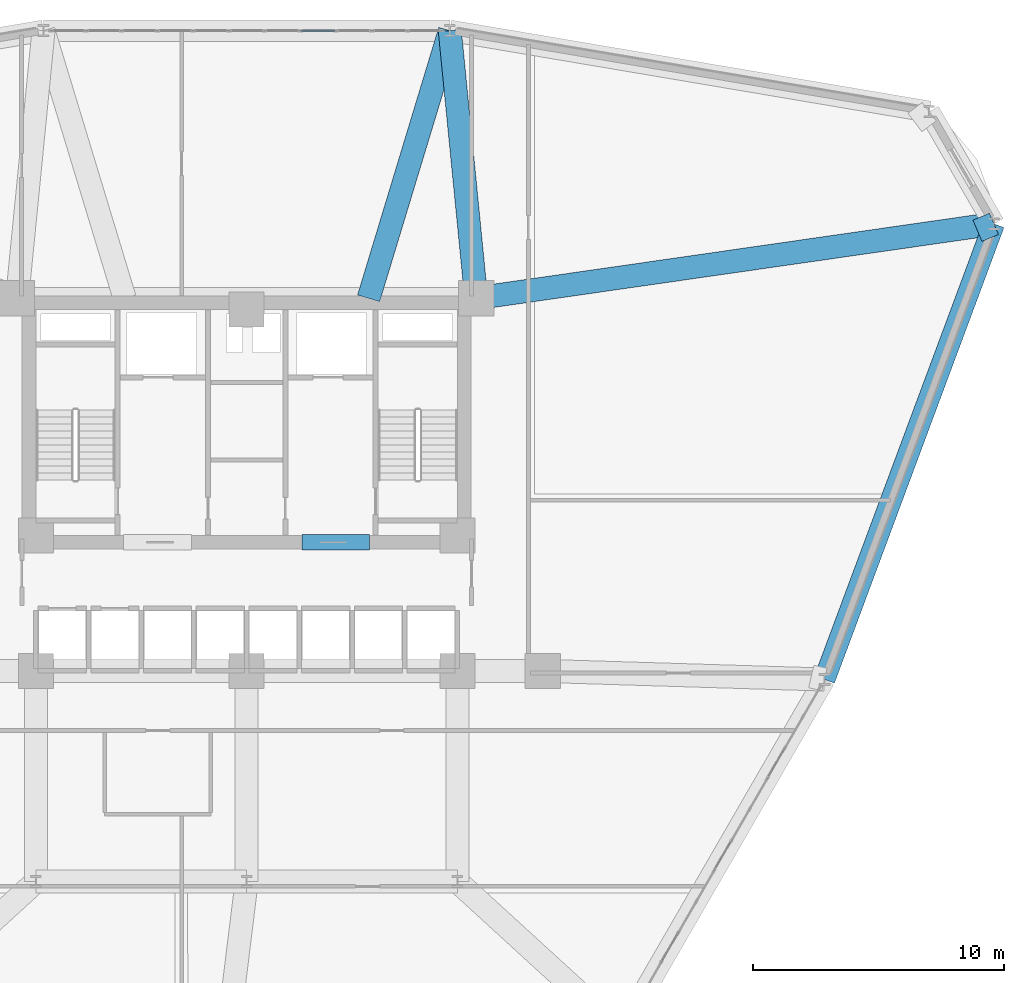
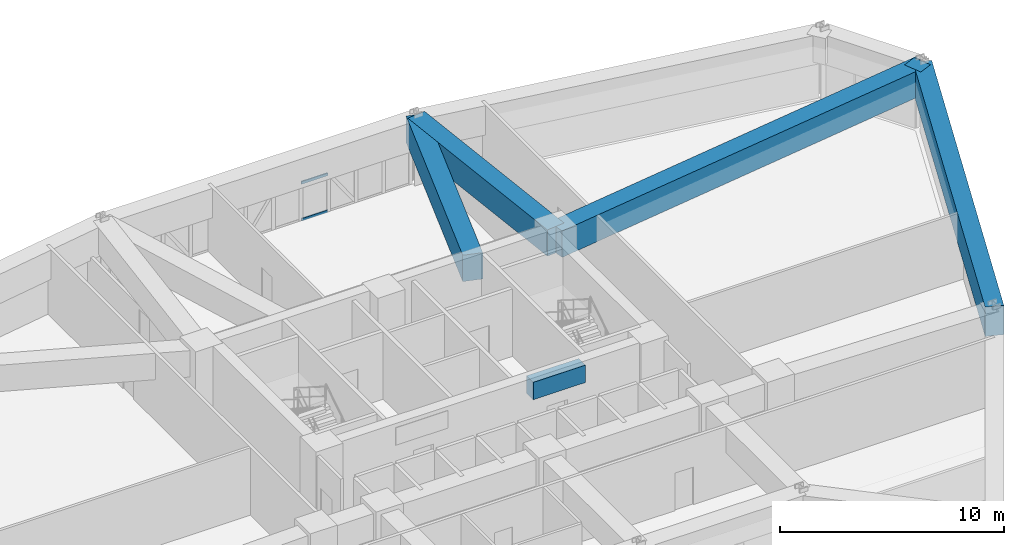
# One storey, part 12 of 20: 6 beams, 2 members, 1 element without a shape of its own.
"""IFC4 building model written with IfcOpenShell, lengths in metres."""

from ifc_helpers import new_model, si_unit, derived_unit, direction, frame, origin, origin_2d, place, context, subcontext, project, spatial, rectangle, hollow_rectangle, extrude, source, transform, mapped, material, layer, layer_set, material_profile, profile_set, type_object, element, aggregate, save


model = new_model("IFC4")

# Units and contexts
model_context = context("Model", 3, precision=1e-05, world=origin(), true_north=direction((0.0, 1.0)))
body_context = subcontext(model_context, "Body", "Model", "MODEL_VIEW")
ifc_project = project(units=[si_unit("LENGTHUNIT", "METRE"), si_unit("AREAUNIT", "SQUARE_METRE"), si_unit("VOLUMEUNIT", "CUBIC_METRE"), si_unit("PLANEANGLEUNIT", "RADIAN"), si_unit("MASSUNIT", "GRAM", prefix="KILO"), derived_unit("THERMALTRANSMITTANCEUNIT", [(si_unit("POWERUNIT", "WATT"), 1), (si_unit("LENGTHUNIT", "METRE"), -2), (si_unit("THERMODYNAMICTEMPERATUREUNIT", "KELVIN"), -1)])], contexts=[model_context])

# Site, building, storey
site_placement = place(None, origin())
site = spatial("IfcSite", under=ifc_project, at=site_placement, CompositionType="ELEMENT")
building_placement = place(site_placement, origin())
building = spatial("IfcBuilding", under=site, at=building_placement, Name="Korsvarv Bourse and Concert Hall", CompositionType="ELEMENT")
storey_placement = place(building_placement, frame((0.0, 0.0, 31.800048828125)))
storey = spatial("IfcBuildingStorey", under=building, at=storey_placement, Name="L07", CompositionType="ELEMENT", Elevation=31.800048828125)

# Beams
ifc_material_1 = material(Name="Concrete C55/67", Category="concrete")
ifc_material_profile_1 = material_profile(ifc_material_1, rectangle(XDim=0.60009765625, YDim=0.949951171875, at=origin_2d()), Name="RC-BM 600x950")
ifc_profile_set_1 = profile_set([ifc_material_profile_1], Name="Concrete C55/67")
beam_type_1 = type_object("IfcBeamType", Name="BM-CPL", PredefinedType="LINTEL", material=ifc_profile_set_1)
shared_shape_1 = source(origin(), body_context, "Body", "SweptSolid", [
    extrude(rectangle(XDim=0.60009765625, YDim=0.949951171875, at=origin_2d()), origin(), (0.0, 0.0, 1.0), 2.699951171875),
])
beam_1_placement = place(storey_placement, frame((38.199951171875, 37.52490234375, 3.204833984375), z_axis=(1.0, 0.0, 0.0), x_axis=(0.0, 1.0, 0.0)))
element("IfcBeam", 1, at=beam_1_placement, inside=storey, type_object=beam_type_1, Name="L07 Core Coupling Beam East", PredefinedType="LINTEL", context=body_context, shape_type="MappedRepresentation", body=[
    mapped(shared_shape_1, transform((0.0, 0.0, 0.0), scale=1.0)),
])
ifc_material_profile_2 = material_profile(ifc_material_1, rectangle(XDim=0.85009765625, YDim=1.60009765625, at=origin_2d()), Name="RC-BM 850x1600")
ifc_profile_set_2 = profile_set([ifc_material_profile_2], Name="Concrete C55/67")
beam_type_2 = type_object("IfcBeamType", Name="BM-TR1B", PredefinedType="BEAM", material=ifc_profile_set_2)
shared_shape_2 = source(origin(), body_context, "Body", "SweptSolid", [
    extrude(rectangle(XDim=0.85009765625, YDim=1.60009765625, at=origin_2d()), origin(), (0.0, 0.0, 1.0), 19.3798828125),
])
beam_2_placement = place(storey_placement, frame((59.029541015625, 32.05419921875, 2.8798828125), z_axis=(0.348764335055, 0.937210455871, 0.0), x_axis=(-0.937210455871, 0.348764335055, 0.0)))
element("IfcBeam", 2, at=beam_2_placement, inside=storey, type_object=beam_type_2, Name="L07 beam B-TR2", PredefinedType="BEAM", context=body_context, shape_type="MappedRepresentation", body=[
    mapped(shared_shape_2, transform((0.0, 0.0, 0.0), scale=1.0)),
])
ifc_material_2 = material(Name="Concrete C50/60", Category="concrete")
ifc_material_profile_3 = material_profile(ifc_material_2, rectangle(XDim=0.919921875, YDim=1.43994140625, at=origin_2d()), Name="RC-BM 920x1440")
ifc_profile_set_3 = profile_set([ifc_material_profile_3], Name="Concrete C50/60")
beam_type_3 = type_object("IfcBeamType", Name="BM-TR-144", PredefinedType="BEAM", material=ifc_profile_set_3)
shared_shape_3 = source(origin(), body_context, "Body", "SweptSolid", [
    extrude(rectangle(XDim=0.919921875, YDim=1.43994140625, at=origin_2d()), origin(), (0.0, 0.0, 1.0), 20.850830078125),
])
beam_3_placement = place(storey_placement, frame((65.78857421875, 50.21728515625, 2.9599609375), z_axis=(-0.989822170668, -0.142309769356, 0.0), x_axis=(0.142309769356, -0.989822170668, 0.0)))
element("IfcBeam", 3, at=beam_3_placement, inside=storey, type_object=beam_type_3, Name="L07 beam B-TR4", PredefinedType="BEAM", context=body_context, shape_type="MappedRepresentation", body=[
    mapped(shared_shape_3, transform((0.0, 0.0, 0.0), scale=1.0)),
])
shared_shape_4 = source(origin(), body_context, "Body", "SweptSolid", [
    extrude(rectangle(XDim=0.919921875, YDim=1.43994140625, at=origin_2d()), origin(), (0.0, 0.0, 1.0), 10.71875),
])
beam_4_placement = place(storey_placement, frame((44.097412109375, 57.9169921875, 2.9599609375), z_axis=(0.098191142764, -0.995167573569, 0.0), x_axis=(0.995167573569, 0.098191142764, 0.0)))
element("IfcBeam", 4, at=beam_4_placement, inside=storey, type_object=beam_type_3, Name="L07 beam B-TR4", PredefinedType="BEAM", context=body_context, shape_type="MappedRepresentation", body=[
    mapped(shared_shape_4, transform((0.0, 0.0, 0.0), scale=1.0)),
])
shared_shape_5 = source(origin(), body_context, "Body", "SweptSolid", [
    extrude(rectangle(XDim=0.919921875, YDim=1.43994140625, at=origin_2d()), origin(), (0.0, 0.0, 1.0), 0.71484375),
])
beam_5_placement = place(storey_placement, frame((65.78857421875, 50.21728515625, 2.9599609375), z_axis=(-0.921513173627, -0.388347100969, 0.0), x_axis=(0.388347100969, -0.921513173627, 0.0)))
element("IfcBeam", 5, at=beam_5_placement, inside=storey, type_object=beam_type_3, Name="L07 beam B-TR4", PredefinedType="BEAM", context=body_context, shape_type="MappedRepresentation", body=[
    mapped(shared_shape_5, transform((0.0, 0.0, 0.0), scale=1.0)),
])
shared_shape_6 = source(origin(), body_context, "Body", "SweptSolid", [
    extrude(rectangle(XDim=0.919921875, YDim=1.43994140625, at=origin_2d()), origin(), (0.0, 0.0, 1.0), 11.14697265625),
])
beam_6_placement = place(storey_placement, frame((44.097412109375, 57.9169921875, 2.9599609375), z_axis=(-0.2902681647, -0.956945344605, 0.0), x_axis=(0.956945344605, -0.2902681647, 0.0)))
element("IfcBeam", 6, at=beam_6_placement, inside=storey, type_object=beam_type_3, Name="L07 beam B-TR4", PredefinedType="BEAM", context=body_context, shape_type="MappedRepresentation", body=[
    mapped(shared_shape_6, transform((0.0, 0.0, 0.0), scale=1.0)),
])

# Curtain wall, members
ifc_material_3 = material(Name="Anodised aluminium and triple low-E glazing", Category="glass")
ifc_layer = layer(ifc_material_3, 0.219970703125)
ifc_layer_set = layer_set([ifc_layer], Name="Anodised aluminium and triple low-E glazing")
curtain_wall_type = type_object("IfcCurtainWallType", Name="CW-SYS-1", PredefinedType="NOTDEFINED", material=ifc_layer_set)
curtain_wall_placement = place(storey_placement, origin())
curtain_wall = element("IfcCurtainWall", 7, at=curtain_wall_placement, inside=storey, type_object=curtain_wall_type, Name="L07 CW1 curtain wall CW-L07-F03", PredefinedType="NOTDEFINED")
ifc_material_4 = material(Name="Extruded aluminium EN AW-6063 T66", Category="aluminium")
ifc_material_profile_4 = material_profile(ifc_material_4, hollow_rectangle(XDim=0.06494140625, YDim=0.139892578125, WallThickness=0.00390625, at=origin_2d()), Name="ALU-T 65x140")
ifc_profile_set_4 = profile_set([ifc_material_profile_4], Name="Extruded aluminium EN AW-6063 T66")
member_type = type_object("IfcMemberType", Name="CWT-140", PredefinedType="USERDEFINED", material=ifc_profile_set_4)
shared_shape_7 = source(origin(), body_context, "Body", "SweptSolid", [
    extrude(hollow_rectangle(XDim=0.06494140625, YDim=0.139892578125, WallThickness=0.00390625, at=origin_2d()), origin(), (0.0, 0.0, 1.0), 1.354736328125),
])
member_1_placement = place(storey_placement, frame((39.526611328125, 57.9169921875, 0.032470703125), z_axis=(-1.0, 0.0, 0.0), x_axis=(0.0, -1.0, 0.0)))
member_1 = element("IfcMember", 8, at=member_1_placement, type_object=member_type, Name="CW1 transom 4.1", ObjectType="TRANSOM", PredefinedType="USERDEFINED", context=body_context, shape_type="MappedRepresentation", body=[
    mapped(shared_shape_7, transform((0.0, 0.0, 0.0), scale=1.0)),
])
member_2_placement = place(storey_placement, frame((39.526611328125, 57.9169921875, 2.04736328125), z_axis=(-1.0, 0.0, 0.0), x_axis=(0.0, -1.0, 0.0)))
member_2 = element("IfcMember", 9, at=member_2_placement, type_object=member_type, Name="CW1 transom 4.2", ObjectType="TRANSOM", PredefinedType="USERDEFINED", context=body_context, shape_type="MappedRepresentation", body=[
    mapped(shared_shape_7, transform((0.0, 0.0, 0.0), scale=1.0)),
])
aggregate(curtain_wall, [member_1, member_2])

save(model, "model.ifc")
